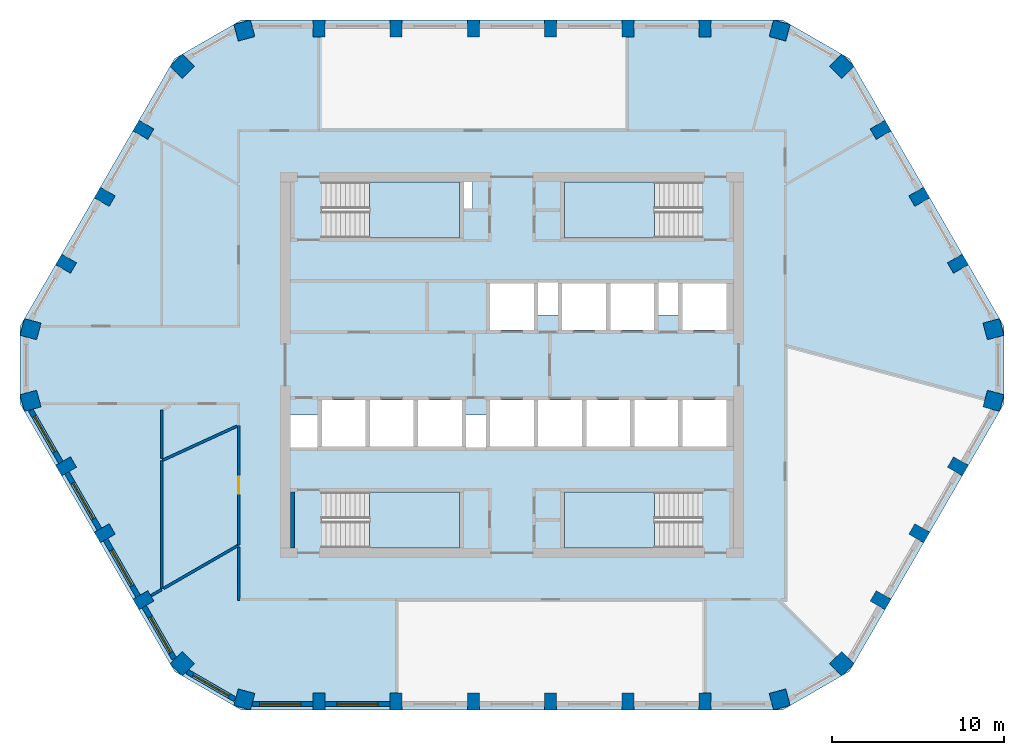
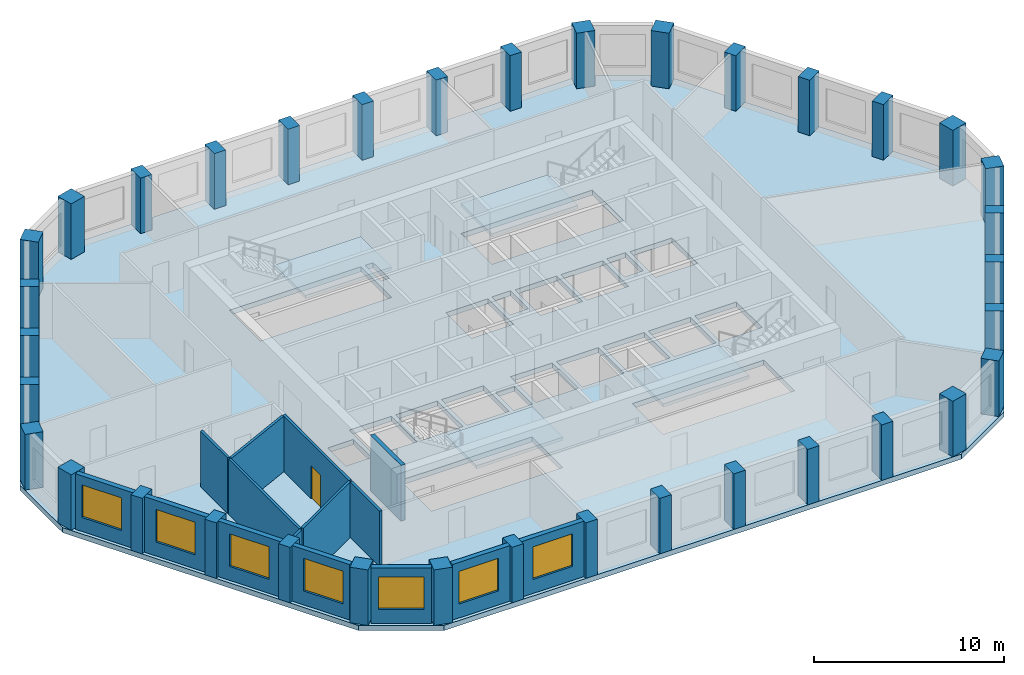
# One storey, part 1 of 10: 36 columns, 15 walls, 7 windows, 5 slabs, 1 door, 8 openings, 4 elements without a shape of their own.
"""IFC4 building model written with IfcOpenShell, lengths in metres."""

from ifc_helpers import new_model, si_unit, direction, frame, frame_2d, origin, origin_2d, place, context, subcontext, project, spatial, polyline, rectangle, outline, extrude, material, layer, layer_set, material_profile, profile_set, type_object, element, fill, aggregate, save


model = new_model("IFC4")

# Units and contexts
model_context = context("Model", 3, precision=1e-05, world=origin(), true_north=direction((0.0, 1.0)))
body_context = subcontext(model_context, "Body", "Model", "MODEL_VIEW")
ifc_project = project(units=[si_unit("LENGTHUNIT", "METRE"), si_unit("AREAUNIT", "SQUARE_METRE"), si_unit("VOLUMEUNIT", "CUBIC_METRE"), si_unit("PLANEANGLEUNIT", "RADIAN"), si_unit("MASSUNIT", "GRAM", prefix="KILO")], contexts=[model_context])

# Site, building, storey
site_placement = place(None, origin())
site = spatial("IfcSite", under=ifc_project, at=site_placement, CompositionType="ELEMENT")
building_placement = place(site_placement, origin())
building = spatial("IfcBuilding", under=site, at=building_placement, Name="Dhurran Vertical Campus", CompositionType="ELEMENT")
storey_placement = place(building_placement, frame((0.0, 0.0, 239.10009765625)))
storey = spatial("IfcBuildingStorey", under=building, at=storey_placement, Name="L59", CompositionType="ELEMENT", Elevation=239.10009765625)

# Columns
ifc_material_1 = material(Name="Concrete C50/60", Category="concrete")
ifc_material_profile_1 = material_profile(ifc_material_1, rectangle(XDim=1.0, YDim=1.0, at=origin_2d()), Name="RC 1000x1000")
ifc_profile_set_1 = profile_set([ifc_material_profile_1], Name="Concrete C50/60")
column_type_1 = type_object("IfcColumnType", Name="FR COL RC 1000x1000 C50/60", PredefinedType="COLUMN", material=ifc_profile_set_1)
for number, where, z_axis, x_axis, name in (
    (1, (-15.5859375, -19.47607421875, 0.0), (0.0, 0.0, 1.0), (0.965925826289, -0.258819045103, 0.0), "Perimeter pier PP5.00"),
    (2, (15.5859375, -19.47607421875, 0.0), (0.0, 0.0, 1.0), (0.965925826289, 0.258819045103, 0.0), "Perimeter pier PP5.07"),
    (3, (19.19873046875, -17.39013671875, 0.0), (0.0, 0.0, 1.0), (0.707106781187, 0.707106781187, 0.0), "Perimeter pier PP5.08"),
    (4, (28.03466796875, -2.0859375, 0.0), (0.0, 0.0, 1.0), (0.258819045103, 0.965925826289, 0.0), "Perimeter pier PP5.12"),
    (5, (28.03466796875, 2.0859375, 0.0), (0.0, 0.0, 1.0), (-0.258819045103, 0.965925826289, 0.0), "Perimeter pier PP5.13"),
    (6, (19.19873046875, 17.39013671875, 0.0), (0.0, 0.0, 1.0), (-0.707106781187, 0.707106781187, 0.0), "Perimeter pier PP5.17"),
    (7, (15.5859375, 19.47607421875, 0.0), (0.0, 0.0, 1.0), (-0.965925826289, 0.258819045103, 0.0), "Perimeter pier PP5.18"),
    (8, (-15.5859375, 19.47607421875, 0.0), (0.0, 0.0, 1.0), (-0.965925826289, -0.258819045103, 0.0), "Perimeter pier PP5.25"),
    (9, (-19.19873046875, 17.39013671875, 0.0), (0.0, 0.0, 1.0), (-0.707106781187, -0.707106781187, 0.0), "Perimeter pier PP5.26"),
    (10, (-28.03466796875, 2.0859375, 0.0), (0.0, 0.0, 1.0), (-0.258819045103, -0.965925826289, 0.0), "Perimeter pier PP5.30"),
    (11, (-28.03466796875, -2.0859375, 0.0), (0.0, 0.0, 1.0), (0.258819045103, -0.965925826289, 0.0), "Perimeter pier PP5.31"),
    (12, (-19.19873046875, -17.39013671875, 0.0), (0.0, 0.0, 1.0), (0.707106781187, -0.707106781187, 0.0), "Perimeter pier PP5.35"),
):
    element("IfcColumn", number, at=place(storey_placement, frame(where, z_axis=z_axis, x_axis=x_axis)), inside=storey, type_object=column_type_1, Name=name, PredefinedType="COLUMN", context=body_context, shape_type="SweptSolid", body=[
        extrude(rectangle(XDim=1.0, YDim=1.0, at=origin_2d()), origin(), (0.0, 0.0, 1.0), 3.574951171875),
    ])
ifc_material_2 = material(Name="Concrete C50/60", Category="concrete")
ifc_material_profile_2 = material_profile(ifc_material_2, rectangle(XDim=0.699951171875, YDim=1.0, at=origin_2d()), Name="RC 700x1000")
ifc_profile_set_2 = profile_set([ifc_material_profile_2], Name="Concrete C50/60")
column_type_2 = type_object("IfcColumnType", Name="FR COL RC 700x1000 C50/60", PredefinedType="COLUMN", material=ifc_profile_set_2)
for number, where, z_axis, x_axis, name in (
    (13, (-11.25, -19.58837890625, 0.0), (0.0, 0.0, 1.0), (1.0, 0.0, 0.0), "Perimeter pier PP5.01"),
    (14, (-6.75, -19.58837890625, 0.0), (0.0, 0.0, 1.0), (1.0, 0.0, 0.0), "Perimeter pier PP5.02"),
    (15, (-2.25, -19.58837890625, 0.0), (0.0, 0.0, 1.0), (1.0, 0.0, 0.0), "Perimeter pier PP5.03"),
    (16, (2.25, -19.58837890625, 0.0), (0.0, 0.0, 1.0), (1.0, 0.0, 0.0), "Perimeter pier PP5.04"),
    (17, (6.75, -19.58837890625, 0.0), (0.0, 0.0, 1.0), (1.0, 0.0, 0.0), "Perimeter pier PP5.05"),
    (18, (11.25, -19.58837890625, 0.0), (0.0, 0.0, 1.0), (1.0, 0.0, 0.0), "Perimeter pier PP5.06"),
    (19, (21.464111328125, -13.69140625, 0.0), (0.0, 0.0, 1.0), (0.5, 0.866025403784, 0.0), "Perimeter pier PP5.09"),
    (20, (23.714111328125, -9.794189453125, 0.0), (0.0, 0.0, 1.0), (0.5, 0.866025403784, 0.0), "Perimeter pier PP5.10"),
    (21, (25.964111328125, -5.897216796875, 0.0), (0.0, 0.0, 1.0), (0.5, 0.866025403784, 0.0), "Perimeter pier PP5.11"),
    (22, (25.964111328125, 5.897216796875, 0.0), (0.0, 0.0, 1.0), (-0.5, 0.866025403784, 0.0), "Perimeter pier PP5.14"),
    (23, (23.714111328125, 9.794189453125, 0.0), (0.0, 0.0, 1.0), (-0.5, 0.866025403784, 0.0), "Perimeter pier PP5.15"),
    (24, (21.464111328125, 13.69140625, 0.0), (0.0, 0.0, 1.0), (-0.5, 0.866025403784, 0.0), "Perimeter pier PP5.16"),
    (25, (11.25, 19.58837890625, 0.0), (0.0, 0.0, 1.0), (-1.0, 0.0, 0.0), "Perimeter pier PP5.19"),
    (26, (6.75, 19.58837890625, 0.0), (0.0, 0.0, 1.0), (-1.0, 0.0, 0.0), "Perimeter pier PP5.20"),
    (27, (2.25, 19.58837890625, 0.0), (0.0, 0.0, 1.0), (-1.0, 0.0, 0.0), "Perimeter pier PP5.21"),
    (28, (-2.25, 19.58837890625, 0.0), (0.0, 0.0, 1.0), (-1.0, 0.0, 0.0), "Perimeter pier PP5.22"),
    (29, (-6.75, 19.58837890625, 0.0), (0.0, 0.0, 1.0), (-1.0, 0.0, 0.0), "Perimeter pier PP5.23"),
    (30, (-11.25, 19.58837890625, 0.0), (0.0, 0.0, 1.0), (-1.0, 0.0, 0.0), "Perimeter pier PP5.24"),
    (31, (-21.464111328125, 13.69140625, 0.0), (0.0, 0.0, 1.0), (-0.5, -0.866025403784, 0.0), "Perimeter pier PP5.27"),
    (32, (-23.714111328125, 9.794189453125, 0.0), (0.0, 0.0, 1.0), (-0.5, -0.866025403784, 0.0), "Perimeter pier PP5.28"),
    (33, (-25.964111328125, 5.897216796875, 0.0), (0.0, 0.0, 1.0), (-0.5, -0.866025403784, 0.0), "Perimeter pier PP5.29"),
    (34, (-25.964111328125, -5.897216796875, 0.0), (0.0, 0.0, 1.0), (0.5, -0.866025403784, 0.0), "Perimeter pier PP5.32"),
    (35, (-23.714111328125, -9.794189453125, 0.0), (0.0, 0.0, 1.0), (0.5, -0.866025403784, 0.0), "Perimeter pier PP5.33"),
    (36, (-21.464111328125, -13.69140625, 0.0), (0.0, 0.0, 1.0), (0.5, -0.866025403784, 0.0), "Perimeter pier PP5.34"),
):
    element("IfcColumn", number, at=place(storey_placement, frame(where, z_axis=z_axis, x_axis=x_axis)), inside=storey, type_object=column_type_2, Name=name, PredefinedType="COLUMN", context=body_context, shape_type="SweptSolid", body=[
        extrude(rectangle(XDim=0.699951171875, YDim=1.0, at=origin_2d()), origin(), (0.0, 0.0, 1.0), 3.574951171875),
    ])

# Slab
ifc_material_3 = material(Name="Concrete C40/50", Category="concrete")
ifc_layer_1 = layer(ifc_material_3, 0.324951171875)
ifc_layer_set_1 = layer_set([ifc_layer_1], Name="Concrete C40/50")
slab_type_1 = type_object("IfcSlabType", Name="FR POST-TENSIONED FLAT SLAB 325", PredefinedType="FLOOR", material=ifc_layer_set_1)
slab_1_placement = place(storey_placement, frame((0.0, 0.0, -0.3251953125)))
element("IfcSlab", 37, at=slab_1_placement, inside=storey, type_object=slab_type_1, Name="Floor slab L59", PredefinedType="FLOOR", context=body_context, shape_type="SweptSolid", body=[
    extrude(outline(polyline([(-15.75, -20.08837890625), (15.75, -20.08837890625), (19.647216796875, -17.83837890625), (28.647216796875, -2.25), (28.647216796875, 2.25), (19.647216796875, 17.83837890625), (15.75, 20.08837890625), (-15.75, 20.08837890625), (-19.647216796875, 17.83837890625), (-28.647216796875, 2.25), (-28.647216796875, -2.25), (-19.647216796875, -17.83837890625), (-15.75, -20.08837890625)]), holes=[polyline([(-1.27490234375, 2.050048828125), (1.27490234375, 2.050048828125), (1.27490234375, 4.75), (-1.27490234375, 4.75), (-1.27490234375, 2.050048828125)]), polyline([(9.925048828125, 2.050048828125), (12.47509765625, 2.050048828125), (12.47509765625, 4.75), (9.925048828125, 4.75), (9.925048828125, 2.050048828125)]), polyline([(-1.27490234375, -4.75), (1.27490234375, -4.75), (1.27490234375, -2.050048828125), (-1.27490234375, -2.050048828125), (-1.27490234375, -4.75)]), polyline([(1.52490234375, -4.75), (4.074951171875, -4.75), (4.074951171875, -2.050048828125), (1.52490234375, -2.050048828125), (1.52490234375, -4.75)]), polyline([(4.324951171875, -4.75), (6.875, -4.75), (6.875, -2.050048828125), (4.324951171875, -2.050048828125), (4.324951171875, -4.75)]), polyline([(7.125, -4.75), (9.675048828125, -4.75), (9.675048828125, -2.050048828125), (7.125, -2.050048828125), (7.125, -4.75)]), polyline([(9.925048828125, -4.75), (12.47509765625, -4.75), (12.47509765625, -2.050048828125), (9.925048828125, -2.050048828125), (9.925048828125, -4.75)]), polyline([(2.925048828125, 2.050048828125), (5.47509765625, 2.050048828125), (5.47509765625, 4.75), (2.925048828125, 4.75), (2.925048828125, 2.050048828125)]), polyline([(5.72509765625, 2.050048828125), (8.27490234375, 2.050048828125), (8.27490234375, 4.75), (5.72509765625, 4.75), (5.72509765625, 2.050048828125)]), polyline([(-11.074951171875, -4.75), (-8.52490234375, -4.75), (-8.52490234375, -2.050048828125), (-11.074951171875, -2.050048828125), (-11.074951171875, -4.75)]), polyline([(-8.27490234375, -4.75), (-5.72509765625, -4.75), (-5.72509765625, -2.050048828125), (-8.27490234375, -2.050048828125), (-8.27490234375, -4.75)]), polyline([(-5.47509765625, -4.75), (-2.925048828125, -4.75), (-2.925048828125, -2.050048828125), (-5.47509765625, -2.050048828125), (-5.47509765625, -4.75)]), polyline([(-11.050048828125, 7.39990234375), (-3.050048828125, 7.39990234375), (-3.050048828125, 10.64990234375), (-11.050048828125, 10.64990234375), (-11.050048828125, 7.39990234375)]), polyline([(3.050048828125, 7.39990234375), (11.050048828125, 7.39990234375), (11.050048828125, 10.64990234375), (3.050048828125, 10.64990234375), (3.050048828125, 7.39990234375)]), polyline([(-11.050048828125, -10.64990234375), (-3.050048828125, -10.64990234375), (-3.050048828125, -7.39990234375), (-11.050048828125, -7.39990234375), (-11.050048828125, -10.64990234375)]), polyline([(3.050048828125, -10.64990234375), (11.050048828125, -10.64990234375), (11.050048828125, -7.39990234375), (3.050048828125, -7.39990234375), (3.050048828125, -10.64990234375)]), polyline([(2.675048828125, 2.89990234375), (1.52490234375, 2.89990234375), (1.52490234375, 4.800048828125), (2.675048828125, 4.800048828125), (2.675048828125, 2.89990234375)]), polyline([(-12.89990234375, -2.89990234375), (-11.324951171875, -2.89990234375), (-11.324951171875, -4.800048828125), (-12.89990234375, -4.800048828125), (-12.89990234375, -2.89990234375)]), polyline([(-2.675048828125, -2.89990234375), (-1.52490234375, -2.89990234375), (-1.52490234375, -4.800048828125), (-2.675048828125, -4.800048828125), (-2.675048828125, -2.89990234375)]), polyline([(-2.300048828125, 10.64990234375), (-2.300048828125, 9.0), (-2.800048828125, 9.0), (-2.800048828125, 10.64990234375), (-2.300048828125, 10.64990234375)]), polyline([(9.675048828125, 2.89990234375), (8.52490234375, 2.89990234375), (8.52490234375, 4.800048828125), (9.675048828125, 4.800048828125), (9.675048828125, 2.89990234375)])]), origin(), (0.0, 0.0, 1.0), 0.3251953125),
])

# Stair, slab
ifc_material_4 = material(Name="Concrete C40/50", Category="concrete")
stair_type = type_object("IfcStairType", Name="co-ST-CORE", PredefinedType="HALF_TURN_STAIR", material=ifc_material_4)
stair_1_placement = place(storey_placement, origin())
stair_1 = element("IfcStair", 38, at=stair_1_placement, inside=storey, type_object=stair_type, Name="L59 Protected exit stair ST1", PredefinedType="HALF_TURN_STAIR")
ifc_material_5 = material(Name="Concrete C40/50", Category="concrete")
ifc_layer_2 = layer(ifc_material_5, 0.199951171875)
ifc_layer_set_2 = layer_set([ifc_layer_2], Name="Concrete C40/50")
slab_type_2 = type_object("IfcSlabType", Name="co-SL-LANDING", PredefinedType="LANDING", material=ifc_layer_set_2)
slab_2_placement = place(storey_placement, frame((0.0, 0.0, 1.75)))
slab_2 = element("IfcSlab", 39, at=slab_2_placement, type_object=slab_type_2, Name="ST1 landing 1", PredefinedType="LANDING", context=body_context, shape_type="SweptSolid", body=[
    extrude(outline(polyline([(-8.300048828125, 7.39990234375), (-3.050048828125, 7.39990234375), (-3.050048828125, 10.64990234375), (-8.300048828125, 10.64990234375), (-8.300048828125, 7.39990234375)])), origin(), (0.0, 0.0, 1.0), 0.199951171875),
])
aggregate(stair_1, [slab_2])

stair_2_placement = place(storey_placement, origin())
stair_2 = element("IfcStair", 40, at=stair_2_placement, inside=storey, type_object=stair_type, Name="L59 Protected exit stair ST2", PredefinedType="HALF_TURN_STAIR")
slab_3_placement = place(storey_placement, frame((0.0, 0.0, 1.75)))
slab_3 = element("IfcSlab", 41, at=slab_3_placement, type_object=slab_type_2, Name="ST2 landing 1", PredefinedType="LANDING", context=body_context, shape_type="SweptSolid", body=[
    extrude(outline(polyline([(8.300048828125, 10.64990234375), (3.050048828125, 10.64990234375), (3.050048828125, 7.39990234375), (8.300048828125, 7.39990234375), (8.300048828125, 10.64990234375)])), origin(), (0.0, 0.0, 1.0), 0.199951171875),
])
aggregate(stair_2, [slab_3])

stair_3_placement = place(storey_placement, origin())
stair_3 = element("IfcStair", 42, at=stair_3_placement, inside=storey, type_object=stair_type, Name="L59 Protected exit stair ST3", PredefinedType="HALF_TURN_STAIR")
slab_4_placement = place(storey_placement, frame((0.0, 0.0, 1.75)))
slab_4 = element("IfcSlab", 43, at=slab_4_placement, type_object=slab_type_2, Name="ST3 landing 1", PredefinedType="LANDING", context=body_context, shape_type="SweptSolid", body=[
    extrude(outline(polyline([(-8.300048828125, -10.64990234375), (-3.050048828125, -10.64990234375), (-3.050048828125, -7.39990234375), (-8.300048828125, -7.39990234375), (-8.300048828125, -10.64990234375)])), origin(), (0.0, 0.0, 1.0), 0.199951171875),
])
aggregate(stair_3, [slab_4])

stair_4_placement = place(storey_placement, origin())
stair_4 = element("IfcStair", 44, at=stair_4_placement, inside=storey, type_object=stair_type, Name="L59 Protected exit stair ST4", PredefinedType="HALF_TURN_STAIR")
slab_5_placement = place(storey_placement, frame((0.0, 0.0, 1.75)))
slab_5 = element("IfcSlab", 45, at=slab_5_placement, type_object=slab_type_2, Name="ST4 landing 1", PredefinedType="LANDING", context=body_context, shape_type="SweptSolid", body=[
    extrude(outline(polyline([(8.300048828125, -7.39990234375), (3.050048828125, -7.39990234375), (3.050048828125, -10.64990234375), (8.300048828125, -10.64990234375), (8.300048828125, -7.39990234375)])), origin(), (0.0, 0.0, 1.0), 0.199951171875),
])
aggregate(stair_4, [slab_5])

# Wall, opening, window
ifc_material_6 = material(Name="Precast concrete C50/60", Category="concrete")
ifc_layer_3 = layer(ifc_material_6, 0.300048828125)
ifc_layer_set_3 = layer_set([ifc_layer_3], Name="Precast concrete C50/60")
wall_type_1 = type_object("IfcWallType", Name="Precast spandrel wall 300", PredefinedType="SOLIDWALL", material=ifc_layer_set_3)
wall_1_placement = place(storey_placement, frame((-15.09814453125, -19.738525390625, 0.0), z_axis=(0.0, 0.0, 1.0), x_axis=(1.0, 0.0, 0.0)))
wall_1 = element("IfcWall", 46, at=wall_1_placement, inside=storey, type_object=wall_type_1, Name="EW1 L59.00", PredefinedType="SOLIDWALL", context=body_context, shape_type="SweptSolid", body=[
    extrude(rectangle(XDim=3.49755859375, YDim=0.300048828125, at=frame_2d((1.748779296875, 0.0))), origin(), (0.0, 0.0, 1.0), 3.574951171875),
])
opening_1_placement = place(wall_1_placement, frame((0.398193359375, 0.0, 0.89990234375)))
opening_1 = element("IfcOpeningElement", 47, at=opening_1_placement, cuts=wall_1, Name="Opening WT1", PredefinedType="OPENING", context=body_context, shape_type="SweptSolid", body=[
    extrude(rectangle(XDim=2.39990234375, YDim=2.10009765625, at=frame_2d((1.199951171875, 1.050048828125))), frame((0.0, 0.159912109375, 0.0), z_axis=(0.0, -1.0, 0.0), x_axis=(1.0, 0.0, 0.0)), (0.0, 0.0, 1.0), 0.320068359375),
])
ifc_material_7 = material(Name="Aluminium frame with solar-control glass", Category="aluminium")
window_type = type_object("IfcWindowType", Name="Punched window 2400 x 2100", PartitioningType="SINGLE_PANEL", PredefinedType="WINDOW", material=ifc_material_7)
window_1_placement = place(opening_1_placement, origin())
window_1 = element("IfcWindow", 48, at=window_1_placement, inside=storey, type_object=window_type, Name="WT1 L59.00", OverallHeight=2.10009765625, OverallWidth=2.39990234375, PartitioningType="SINGLE_PANEL", PredefinedType="WINDOW", context=body_context, shape_type="SweptSolid", body=[
    extrude(rectangle(XDim=2.39990234375, YDim=2.10009765625, at=frame_2d((1.199951171875, 1.050048828125))), frame((0.0, 0.030029296875, 0.0), z_axis=(0.0, -1.0, 0.0), x_axis=(1.0, 0.0, 0.0)), (0.0, 0.0, 1.0), 0.06005859375),
])
fill(opening_1, window_1)

wall_2_placement = place(storey_placement, frame((-10.8994140625, -19.738525390625, 0.0), z_axis=(0.0, 0.0, 1.0), x_axis=(1.0, 0.0, 0.0)))
wall_2 = element("IfcWall", 49, at=wall_2_placement, inside=storey, type_object=wall_type_1, Name="EW1 L59.01", PredefinedType="SOLIDWALL", context=body_context, shape_type="SweptSolid", body=[
    extrude(rectangle(XDim=3.798828125, YDim=0.300048828125, at=frame_2d((1.8994140625, 0.0))), origin(), (0.0, 0.0, 1.0), 3.574951171875),
])
opening_2_placement = place(wall_2_placement, frame((0.699462890625, 0.0, 0.89990234375)))
opening_2 = element("IfcOpeningElement", 50, at=opening_2_placement, cuts=wall_2, Name="Opening WT1", PredefinedType="OPENING", context=body_context, shape_type="SweptSolid", body=[
    extrude(rectangle(XDim=2.39990234375, YDim=2.10009765625, at=frame_2d((1.199951171875, 1.050048828125))), frame((0.0, 0.159912109375, 0.0), z_axis=(0.0, -1.0, 0.0), x_axis=(1.0, 0.0, 0.0)), (0.0, 0.0, 1.0), 0.320068359375),
])
window_2_placement = place(opening_2_placement, origin())
window_2 = element("IfcWindow", 51, at=window_2_placement, inside=storey, type_object=window_type, Name="WT1 L59.01", OverallHeight=2.10009765625, OverallWidth=2.39990234375, PartitioningType="SINGLE_PANEL", PredefinedType="WINDOW", context=body_context, shape_type="SweptSolid", body=[
    extrude(rectangle(XDim=2.39990234375, YDim=2.10009765625, at=frame_2d((1.199951171875, 1.050048828125))), frame((0.0, 0.030029296875, 0.0), z_axis=(0.0, -1.0, 0.0), x_axis=(1.0, 0.0, 0.0)), (0.0, 0.0, 1.0), 0.06005859375),
])
fill(opening_2, window_2)

wall_3_placement = place(storey_placement, frame((-28.01806640625, -2.6396484375, 0.0), z_axis=(0.0, 0.0, 1.0), x_axis=(0.499990325971, -0.866030989016, 0.0)))
wall_3 = element("IfcWall", 52, at=wall_3_placement, inside=storey, type_object=wall_type_1, Name="EW1 L59.31", PredefinedType="SOLIDWALL", context=body_context, shape_type="SweptSolid", body=[
    extrude(rectangle(XDim=3.49755859375, YDim=0.300048828125, at=frame_2d((1.748779296875, 0.0))), origin(), (0.0, 0.0, 1.0), 3.574951171875),
])
opening_3_placement = place(wall_3_placement, frame((0.398193359375, 0.0, 0.89990234375)))
opening_3 = element("IfcOpeningElement", 53, at=opening_3_placement, cuts=wall_3, Name="Opening WT1", PredefinedType="OPENING", context=body_context, shape_type="SweptSolid", body=[
    extrude(rectangle(XDim=2.39990234375, YDim=2.10009765625, at=frame_2d((1.199951171875, 1.050048828125))), frame((0.0, 0.159912109375, 0.0), z_axis=(0.0, -1.0, 0.0), x_axis=(1.0, 0.0, 0.0)), (0.0, 0.0, 1.0), 0.320068359375),
])
window_3_placement = place(opening_3_placement, origin())
window_3 = element("IfcWindow", 54, at=window_3_placement, inside=storey, type_object=window_type, Name="WT1 L59.31", OverallHeight=2.10009765625, OverallWidth=2.39990234375, PartitioningType="SINGLE_PANEL", PredefinedType="WINDOW", context=body_context, shape_type="SweptSolid", body=[
    extrude(rectangle(XDim=2.39990234375, YDim=2.10009765625, at=frame_2d((1.199951171875, 1.050048828125))), frame((0.0, 0.030029296875, 0.0), z_axis=(0.0, -1.0, 0.0), x_axis=(1.0, 0.0, 0.0)), (0.0, 0.0, 1.0), 0.06005859375),
])
fill(opening_3, window_3)

wall_4_placement = place(storey_placement, frame((-25.918701171875, -6.275634765625, 0.0), z_axis=(0.0, 0.0, 1.0), x_axis=(0.499982058975, -0.866035761792, 0.0)))
wall_4 = element("IfcWall", 55, at=wall_4_placement, inside=storey, type_object=wall_type_1, Name="EW1 L59.32", PredefinedType="SOLIDWALL", context=body_context, shape_type="SweptSolid", body=[
    extrude(rectangle(XDim=3.799072265625, YDim=0.300048828125, at=frame_2d((1.8994140625, 0.0))), origin(), (0.0, 0.0, 1.0), 3.574951171875),
])
opening_4_placement = place(wall_4_placement, frame((0.699462890625, 0.0, 0.89990234375)))
opening_4 = element("IfcOpeningElement", 56, at=opening_4_placement, cuts=wall_4, Name="Opening WT1", PredefinedType="OPENING", context=body_context, shape_type="SweptSolid", body=[
    extrude(rectangle(XDim=2.39990234375, YDim=2.10009765625, at=frame_2d((1.199951171875, 1.050048828125))), frame((0.0, 0.159912109375, 0.0), z_axis=(0.0, -1.0, 0.0), x_axis=(1.0, 0.0, 0.0)), (0.0, 0.0, 1.0), 0.320068359375),
])
window_4_placement = place(opening_4_placement, origin())
window_4 = element("IfcWindow", 57, at=window_4_placement, inside=storey, type_object=window_type, Name="WT1 L59.32", OverallHeight=2.10009765625, OverallWidth=2.39990234375, PartitioningType="SINGLE_PANEL", PredefinedType="WINDOW", context=body_context, shape_type="SweptSolid", body=[
    extrude(rectangle(XDim=2.39990234375, YDim=2.10009765625, at=frame_2d((1.199951171875, 1.050048828125))), frame((0.0, 0.030029296875, 0.0), z_axis=(0.0, -1.0, 0.0), x_axis=(1.0, 0.0, 0.0)), (0.0, 0.0, 1.0), 0.06005859375),
])
fill(opening_4, window_4)

wall_5_placement = place(storey_placement, frame((-23.668701171875, -10.1728515625, 0.0), z_axis=(0.0, 0.0, 1.0), x_axis=(0.499982058975, -0.866035761792, 0.0)))
wall_5 = element("IfcWall", 58, at=wall_5_placement, inside=storey, type_object=wall_type_1, Name="EW1 L59.33", PredefinedType="SOLIDWALL", context=body_context, shape_type="SweptSolid", body=[
    extrude(rectangle(XDim=3.799072265625, YDim=0.300048828125, at=frame_2d((1.8994140625, 0.0))), origin(), (0.0, 0.0, 1.0), 3.574951171875),
])
opening_5_placement = place(wall_5_placement, frame((0.699462890625, 0.0, 0.89990234375)))
opening_5 = element("IfcOpeningElement", 59, at=opening_5_placement, cuts=wall_5, Name="Opening WT1", PredefinedType="OPENING", context=body_context, shape_type="SweptSolid", body=[
    extrude(rectangle(XDim=2.39990234375, YDim=2.10009765625, at=frame_2d((1.199951171875, 1.050048828125))), frame((0.0, 0.159912109375, 0.0), z_axis=(0.0, -1.0, 0.0), x_axis=(1.0, 0.0, 0.0)), (0.0, 0.0, 1.0), 0.320068359375),
])
window_5_placement = place(opening_5_placement, origin())
window_5 = element("IfcWindow", 60, at=window_5_placement, inside=storey, type_object=window_type, Name="WT1 L59.33", OverallHeight=2.10009765625, OverallWidth=2.39990234375, PartitioningType="SINGLE_PANEL", PredefinedType="WINDOW", context=body_context, shape_type="SweptSolid", body=[
    extrude(rectangle(XDim=2.39990234375, YDim=2.10009765625, at=frame_2d((1.199951171875, 1.050048828125))), frame((0.0, 0.030029296875, 0.0), z_axis=(0.0, -1.0, 0.0), x_axis=(1.0, 0.0, 0.0)), (0.0, 0.0, 1.0), 0.06005859375),
])
fill(opening_5, window_5)

wall_6_placement = place(storey_placement, frame((-21.418701171875, -14.06982421875, 0.0), z_axis=(0.0, 0.0, 1.0), x_axis=(0.499960102815, -0.866048437209, 0.0)))
wall_6 = element("IfcWall", 61, at=wall_6_placement, inside=storey, type_object=wall_type_1, Name="EW1 L59.34", PredefinedType="SOLIDWALL", context=body_context, shape_type="SweptSolid", body=[
    extrude(rectangle(XDim=3.497802734375, YDim=0.300048828125, at=frame_2d((1.7490234375, 0.0))), origin(), (0.0, 0.0, 1.0), 3.574951171875),
])
opening_6_placement = place(wall_6_placement, frame((0.699462890625, 0.0, 0.89990234375)))
opening_6 = element("IfcOpeningElement", 62, at=opening_6_placement, cuts=wall_6, Name="Opening WT1", PredefinedType="OPENING", context=body_context, shape_type="SweptSolid", body=[
    extrude(rectangle(XDim=2.39990234375, YDim=2.10009765625, at=frame_2d((1.199951171875, 1.050048828125))), frame((0.0, 0.159912109375, 0.0), z_axis=(0.0, -1.0, 0.0), x_axis=(1.0, 0.0, 0.0)), (0.0, 0.0, 1.0), 0.320068359375),
])
window_6_placement = place(opening_6_placement, origin())
window_6 = element("IfcWindow", 63, at=window_6_placement, inside=storey, type_object=window_type, Name="WT1 L59.34", OverallHeight=2.10009765625, OverallWidth=2.39990234375, PartitioningType="SINGLE_PANEL", PredefinedType="WINDOW", context=body_context, shape_type="SweptSolid", body=[
    extrude(rectangle(XDim=2.39990234375, YDim=2.10009765625, at=frame_2d((1.199951171875, 1.050048828125))), frame((0.0, 0.030029296875, 0.0), z_axis=(0.0, -1.0, 0.0), x_axis=(1.0, 0.0, 0.0)), (0.0, 0.0, 1.0), 0.06005859375),
])
fill(opening_6, window_6)

wall_7_placement = place(storey_placement, frame((-18.90771484375, -17.861328125, 0.0), z_axis=(0.0, 0.0, 1.0), x_axis=(0.866025316205, -0.500000151692, 0.0)))
wall_7 = element("IfcWall", 64, at=wall_7_placement, inside=storey, type_object=wall_type_1, Name="EW1 L59.35", PredefinedType="SOLIDWALL", context=body_context, shape_type="SweptSolid", body=[
    extrude(rectangle(XDim=3.1962890625, YDim=0.300048828125, at=frame_2d((1.59814453125, 0.0))), origin(), (0.0, 0.0, 1.0), 3.574951171875),
])
opening_7_placement = place(wall_7_placement, frame((0.398193359375, 0.0, 0.89990234375)))
opening_7 = element("IfcOpeningElement", 65, at=opening_7_placement, cuts=wall_7, Name="Opening WT1", PredefinedType="OPENING", context=body_context, shape_type="SweptSolid", body=[
    extrude(rectangle(XDim=2.39990234375, YDim=2.10009765625, at=frame_2d((1.199951171875, 1.050048828125))), frame((0.0, 0.159912109375, 0.0), z_axis=(0.0, -1.0, 0.0), x_axis=(1.0, 0.0, 0.0)), (0.0, 0.0, 1.0), 0.320068359375),
])
window_7_placement = place(opening_7_placement, origin())
window_7 = element("IfcWindow", 66, at=window_7_placement, inside=storey, type_object=window_type, Name="WT1 L59.35", OverallHeight=2.10009765625, OverallWidth=2.39990234375, PartitioningType="SINGLE_PANEL", PredefinedType="WINDOW", context=body_context, shape_type="SweptSolid", body=[
    extrude(rectangle(XDim=2.39990234375, YDim=2.10009765625, at=frame_2d((1.199951171875, 1.050048828125))), frame((0.0, 0.030029296875, 0.0), z_axis=(0.0, -1.0, 0.0), x_axis=(1.0, 0.0, 0.0)), (0.0, 0.0, 1.0), 0.06005859375),
])
fill(opening_7, window_7)

# Walls
ifc_material_8 = material(Name="Concrete C40/50", Category="concrete")
ifc_layer_4 = layer(ifc_material_8, 0.25)
ifc_layer_set_4 = layer_set([ifc_layer_4], Name="Concrete C40/50")
wall_type_2 = type_object("IfcWallType", Name="co-STAIR-WALL-250", PredefinedType="SHEAR", material=ifc_layer_set_4)
wall_8_placement = place(storey_placement, frame((-12.77490234375, -10.64990234375, 0.0), z_axis=(0.0, 0.0, 1.0), x_axis=(0.0, 1.0, 0.0)))
element("IfcWall", 67, at=wall_8_placement, inside=storey, type_object=wall_type_2, Name="Stair ST3 enclosure wall L59", PredefinedType="SHEAR", context=body_context, shape_type="SweptSolid", body=[
    extrude(rectangle(XDim=3.25, YDim=0.25, at=frame_2d((1.625, 0.0))), origin(), (0.0, 0.0, 1.0), 3.574951171875),
])
ifc_material_9 = material(Name="Gypsum board corridor wall on steel studs", Category="steel")
ifc_layer_5 = layer(ifc_material_9, 0.14990234375)
ifc_layer_set_5 = layer_set([ifc_layer_5], Name="Gypsum board corridor wall on steel studs")
wall_type_3 = type_object("IfcWallType", Name="fl-CW-150 corridor wall", PredefinedType="PARTITIONING", material=ifc_layer_set_5)
wall_9_placement = place(storey_placement, frame((-15.89990234375, -10.60888671875, 0.0), z_axis=(0.0, 0.0, 1.0), x_axis=(0.0, -1.0, 0.0)))
element("IfcWall", 68, at=wall_9_placement, inside=storey, type_object=wall_type_3, Name="Partition 59-14", PredefinedType="PARTITIONING", context=body_context, shape_type="SweptSolid", body=[
    extrude(rectangle(XDim=3.1162109375, YDim=0.14990234375, at=frame_2d((1.55810546875, 0.0))), origin(), (0.0, 0.0, 1.0), 3.574951171875),
])

# Wall, opening, door
wall_10_placement = place(storey_placement, frame((-15.89990234375, -3.508056640625, 0.0), z_axis=(0.0, 0.0, 1.0), x_axis=(0.0, -1.0, 0.0)))
wall_10 = element("IfcWall", 69, at=wall_10_placement, inside=storey, type_object=wall_type_3, Name="Partition 59-16", PredefinedType="PARTITIONING", context=body_context, shape_type="SweptSolid", body=[
    extrude(rectangle(XDim=6.970947265625, YDim=0.14990234375, at=frame_2d((3.4853515625, 0.0))), origin(), (0.0, 0.0, 1.0), 3.574951171875),
])
opening_8_placement = place(wall_10_placement, frame((2.985595703125, 0.0, 0.0)))
opening_8 = element("IfcOpeningElement", 70, at=opening_8_placement, cuts=wall_10, Name="Opening T17.05", PredefinedType="OPENING", context=body_context, shape_type="SweptSolid", body=[
    extrude(rectangle(XDim=1.0, YDim=2.10009765625, at=frame_2d((0.5, 1.050048828125))), frame((0.0, 0.0849609375, 0.0), z_axis=(0.0, -1.0, 0.0), x_axis=(1.0, 0.0, 0.0)), (0.0, 0.0, 1.0), 0.169921875),
])
ifc_material_10 = material(Name="Solid-core timber door set, fire-rated", Category="wood")
door_type = type_object("IfcDoorType", Name="fl-D-1000x2100", OperationType="SINGLE_SWING_LEFT", PredefinedType="DOOR", material=ifc_material_10)
door_placement = place(opening_8_placement, origin())
door = element("IfcDoor", 71, at=door_placement, inside=storey, type_object=door_type, Name="Door 59.05", OperationType="SINGLE_SWING_RIGHT", OverallHeight=2.10009765625, OverallWidth=1.0, PredefinedType="DOOR", context=body_context, shape_type="SweptSolid", body=[
    extrude(rectangle(XDim=1.0, YDim=2.10009765625, at=frame_2d((0.5, 1.050048828125))), frame((0.0, 0.02490234375, 0.0), z_axis=(0.0, -1.0, 0.0), x_axis=(1.0, 0.0, 0.0)), (0.0, 0.0, 1.0), 0.050048828125),
])
fill(opening_8, door)

# Walls
ifc_material_11 = material(Name="Gypsum board partition on steel studs", Category="steel")
ifc_layer_6 = layer(ifc_material_11, 0.14990234375)
ifc_layer_set_6 = layer_set([ifc_layer_6], Name="Gypsum board partition on steel studs")
wall_type_4 = type_object("IfcWallType", Name="fl-PW-150 fixed partition", PredefinedType="PARTITIONING", material=ifc_layer_set_6)
wall_11_placement = place(storey_placement, frame((-20.39990234375, -13.076904296875, 0.0), z_axis=(0.0, 0.0, 1.0), x_axis=(-0.866030760678, -0.499990721473, 0.0)))
element("IfcWall", 72, at=wall_11_placement, inside=storey, type_object=wall_type_4, Name="Partition 59-03", PredefinedType="PARTITIONING", context=body_context, shape_type="SweptSolid", body=[
    extrude(rectangle(XDim=0.708984375, YDim=0.14990234375, at=frame_2d((0.3544921875, 0.0))), origin(), (0.0, 0.0, 1.0), 3.574951171875),
])
wall_12_placement = place(storey_placement, frame((-20.39990234375, -5.572021484375, 0.0), z_axis=(0.0, 0.0, 1.0), x_axis=(0.0, -1.0, 0.0)))
element("IfcWall", 73, at=wall_12_placement, inside=storey, type_object=wall_type_4, Name="Partition 59-05", PredefinedType="PARTITIONING", context=body_context, shape_type="SweptSolid", body=[
    extrude(rectangle(XDim=7.429931640625, YDim=0.14990234375, at=frame_2d((3.71484375, 0.0))), origin(), (0.0, 0.0, 1.0), 3.574951171875),
])
wall_13_placement = place(storey_placement, frame((-15.965087890625, -10.5166015625, 0.0), z_axis=(0.0, 0.0, 1.0), x_axis=(-0.866034070548, -0.499984988425, 0.0)))
element("IfcWall", 74, at=wall_13_placement, inside=storey, type_object=wall_type_4, Name="Partition 59-06", PredefinedType="PARTITIONING", context=body_context, shape_type="SweptSolid", body=[
    extrude(rectangle(XDim=4.990966796875, YDim=0.14990234375, at=frame_2d((2.49560546875, 0.0))), origin(), (0.0, 0.0, 1.0), 3.574951171875),
])
wall_14_placement = place(storey_placement, frame((-20.39990234375, -2.610107421875, 0.0), z_axis=(0.0, 0.0, 1.0), x_axis=(0.0, -1.0, 0.0)))
element("IfcWall", 75, at=wall_14_placement, inside=storey, type_object=wall_type_4, Name="Partition 59-07", PredefinedType="PARTITIONING", context=body_context, shape_type="SweptSolid", body=[
    extrude(rectangle(XDim=2.846923828125, YDim=0.14990234375, at=frame_2d((1.42333984375, 0.0))), origin(), (0.0, 0.0, 1.0), 3.574951171875),
])
wall_15_placement = place(storey_placement, frame((-16.004638671875, -3.555908203125, 0.0), z_axis=(0.0, 0.0, 1.0), x_axis=(-0.908938523631, -0.416930162329, 0.0)))
element("IfcWall", 76, at=wall_15_placement, inside=storey, type_object=wall_type_4, Name="Partition 59-08", PredefinedType="PARTITIONING", context=body_context, shape_type="SweptSolid", body=[
    extrude(rectangle(XDim=4.7607421875, YDim=0.14990234375, at=frame_2d((2.38037109375, 0.0))), origin(), (0.0, 0.0, 1.0), 3.574951171875),
])

save(model, "model.ifc")
